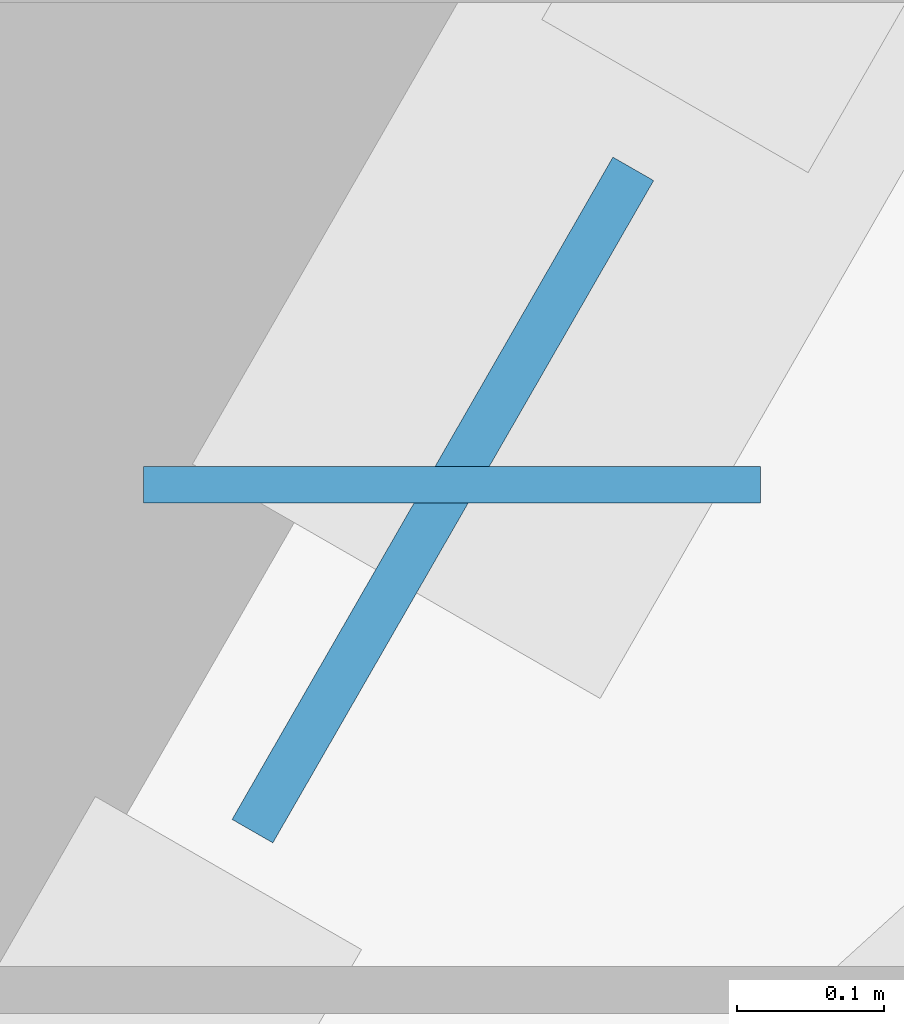
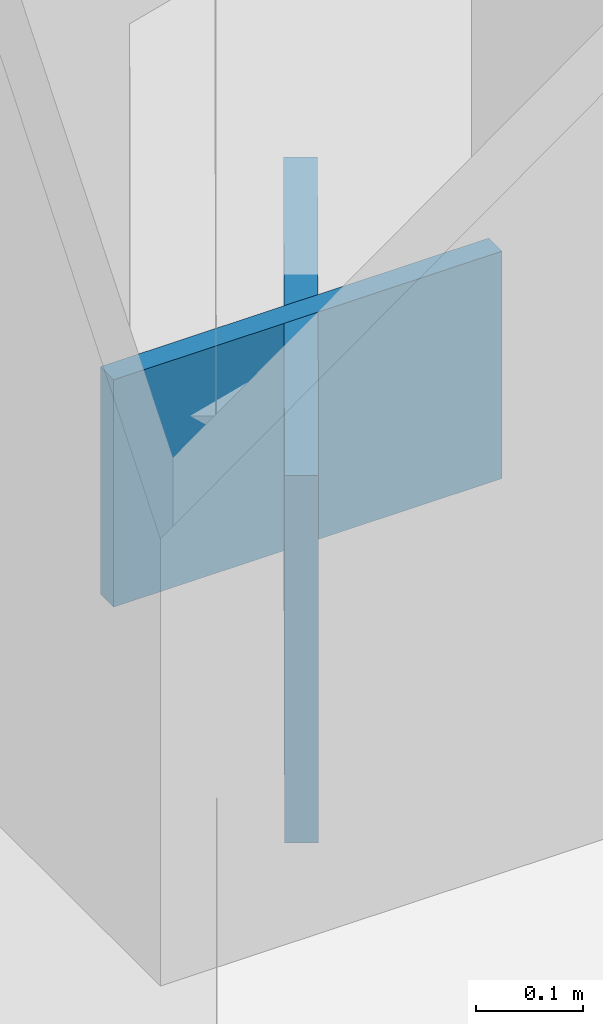
# One storey, part 5 of 13: 2 plates.
"""IFC4 building model written with IfcOpenShell, lengths in metres."""

from ifc_helpers import new_model, si_unit, direction, frame, origin, origin_2d, place, context, subcontext, project, spatial, rectangle, extrude, material, layer, layer_set, type_object, element, save


model = new_model("IFC4")

# Units and contexts
model_context = context("Model", 3, precision=1e-05, world=origin(), true_north=direction((0.0, 1.0)))
body_context = subcontext(model_context, "Body", "Model", "MODEL_VIEW")
ifc_project = project(units=[si_unit("LENGTHUNIT", "METRE"), si_unit("AREAUNIT", "SQUARE_METRE"), si_unit("VOLUMEUNIT", "CUBIC_METRE"), si_unit("PLANEANGLEUNIT", "RADIAN"), si_unit("MASSUNIT", "GRAM", prefix="KILO")], contexts=[model_context])

# Site, building, storey
site_placement = place(None, origin())
site = spatial("IfcSite", under=ifc_project, at=site_placement, CompositionType="ELEMENT")
building_placement = place(site_placement, origin())
building = spatial("IfcBuilding", under=site, at=building_placement, Name="Kavelnor Concourse Tower", CompositionType="ELEMENT")
storey_placement = place(building_placement, frame((0.0, 0.0, 85.5)))
storey = spatial("IfcBuildingStorey", under=building, at=storey_placement, Name="L21", CompositionType="ELEMENT", Elevation=85.5)

# Plates
ifc_material = material(Name="Steel Grade 350", Category="steel")
ifc_layer_1 = layer(ifc_material, 0.031982421875, Name="Steel Grade 350")
ifc_layer_set_1 = layer_set([ifc_layer_1], Name="Steel Grade 350")
plate_type_1 = type_object("IfcPlateType", Name="PL-GUSSET-TUBE-Z1", PredefinedType="USERDEFINED", material=ifc_layer_set_1)
plate_1_placement = place(storey_placement, frame((22.921875, 28.803466796875, 0.010009765625), z_axis=(0.0, 0.0, 1.0), x_axis=(0.498487739754, 0.866896748936, 0.0)))
element("IfcPlate", 1, at=plate_1_placement, inside=storey, type_object=plate_type_1, Name="L21 Tube Brace Gusset GP3 F0-B2 End Gusset A", ObjectType="GUSSET_PLATE", PredefinedType="USERDEFINED", context=body_context, shape_type="SweptSolid", body=[
    extrude(rectangle(XDim=0.52001953125, YDim=0.031982421875, at=origin_2d()), origin(), (0.0, 0.0, 1.0), 0.419921875),
])
ifc_layer_2 = layer(ifc_material, 0.02490234375, Name="Steel Grade 350")
ifc_layer_set_2 = layer_set([ifc_layer_2], Name="Steel Grade 350")
plate_type_2 = type_object("IfcPlateType", Name="PL-SPLICE-FLANGE", PredefinedType="SHEET", material=ifc_layer_set_2)
plate_2_placement = place(storey_placement, frame((22.927978515625, 28.81396484375, 0.169921875), z_axis=(0.0, 0.0, 1.0), x_axis=(1.0, 0.0, 0.0)))
element("IfcPlate", 2, at=plate_2_placement, inside=storey, type_object=plate_type_2, Name="L21 Column Flange Splice Plate F0-B3", PredefinedType="SHEET", context=body_context, shape_type="SweptSolid", body=[
    extrude(rectangle(XDim=0.419921875, YDim=0.02490234375, at=origin_2d()), origin(), (0.0, 0.0, 1.0), 0.260009765625),
])

save(model, "model.ifc")
